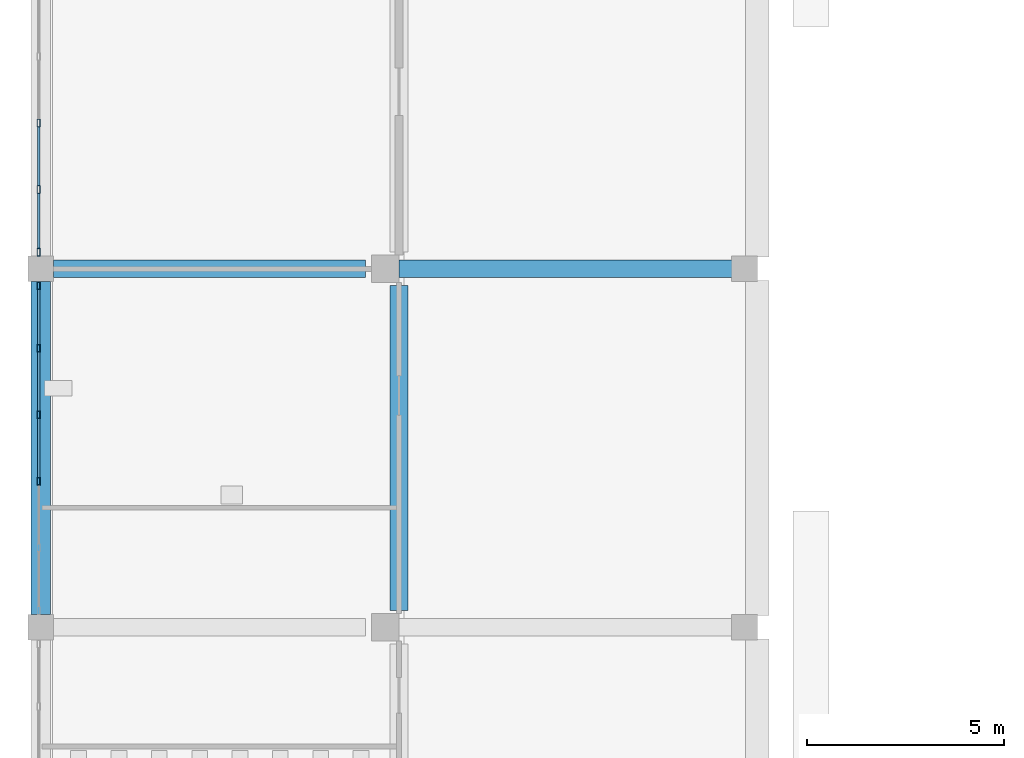
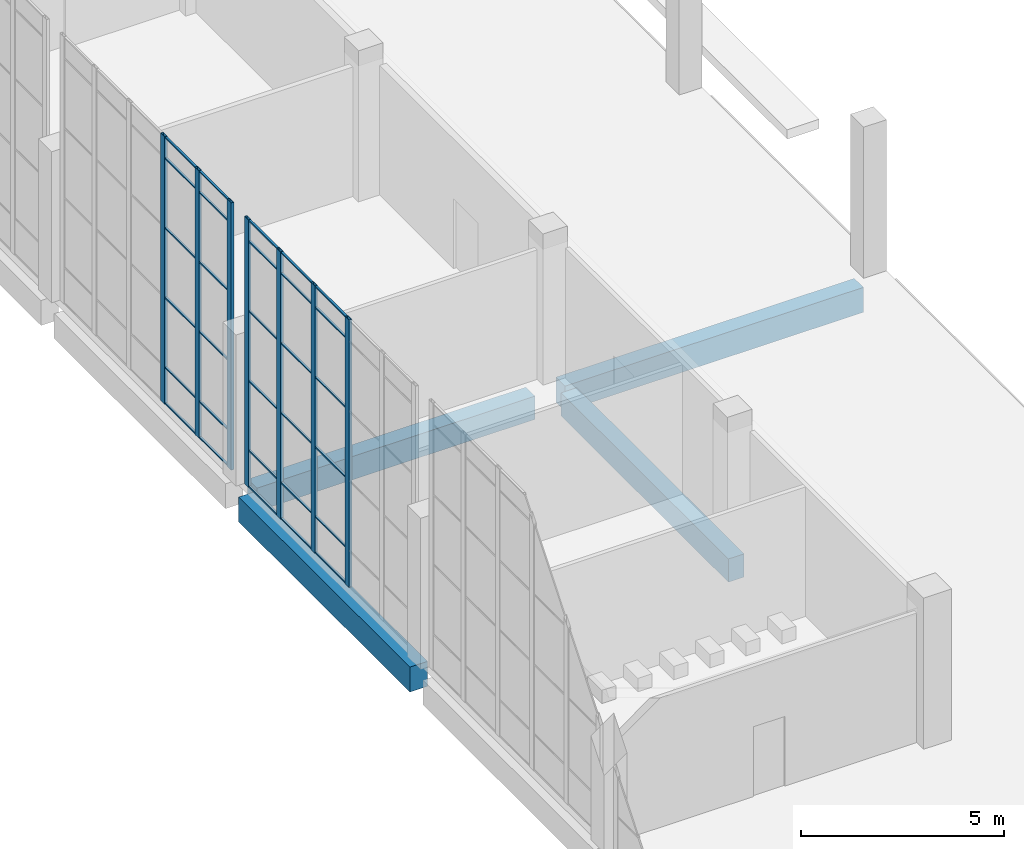
# One storey, part 13 of 126: 37 members, 4 beams, 2 elements without a shape of their own.
"""IFC4 building model written with IfcOpenShell, lengths in metres."""

import ifcopenshell
import ifcopenshell.guid

model = None  # the IFC model being written
_history = None  # IfcOwnerHistory: only IFC2X3 demands one
_inside = {}  # id of a spatial element -> (the spatial element, [elements in it])
_under = {}  # id of a project, library or spatial element -> (it, [spatial elements below it])
_declared = {}  # id of a project -> (the project, [libraries it declares])
_typed = {}  # id of a type object -> (the type object, [elements of that type])
_made_of = {}  # id of a material, layer set ... -> (it, [elements and type objects made of it])


def new_model(schema):
    """Start an empty IFC model of exactly this schema.

    Asked for "IFC4X3", IfcOpenShell would pick the latest addendum, in which some entities
    have other attributes; the version numbers below select the first issue.
    IFC2X3 requires an IfcOwnerHistory on every rooted entity: one is made here for all.
    """
    global model, _history
    if schema == "IFC4X3":
        model = ifcopenshell.file(schema_version=(4, 3, 0, 0))
    else:
        model = ifcopenshell.file(schema=schema)
    _inside.clear()
    _under.clear()
    _declared.clear()
    _typed.clear()
    _made_of.clear()
    _history = None
    if model.schema == "IFC2X3":
        org = make("IfcOrganization", Name="unknown")
        user = make(
            "IfcPersonAndOrganization",
            ThePerson=make("IfcPerson", FamilyName="unknown"),
            TheOrganization=org,
        )
        app = make(
            "IfcApplication",
            ApplicationDeveloper=org,
            Version="unknown",
            ApplicationFullName="unknown",
            ApplicationIdentifier="unknown",
        )
        _history = make(
            "IfcOwnerHistory",
            OwningUser=user,
            OwningApplication=app,
            ChangeAction="ADDED",
            CreationDate=0,
        )
    return model


def make(cls, **values):
    """One entity of the class cls with the attributes given. An attribute that is None is left unset."""
    return model.create_entity(
        cls, **{name: value for name, value in values.items() if value is not None}
    )


def rooted(cls, **values):
    """An entity with a GlobalId (a new one), such as an element, a storey or a relation."""
    return make(cls, GlobalId=ifcopenshell.guid.new(), OwnerHistory=_history, **values)


def si_unit(unit_type, name, prefix=None):
    """IfcSIUnit, for example si_unit("LENGTHUNIT", "METRE", prefix="MILLI")."""
    return make("IfcSIUnit", UnitType=unit_type, Prefix=prefix, Name=name)


def assignment(units):
    """IfcUnitAssignment: the units of a project."""
    return None if units is None else make("IfcUnitAssignment", Units=units)


def point(xyz):
    """IfcCartesianPoint."""
    return None if xyz is None else make("IfcCartesianPoint", Coordinates=xyz)


def direction(xyz):
    """IfcDirection."""
    return None if xyz is None else make("IfcDirection", DirectionRatios=xyz)


def frame(location, z_axis=None, x_axis=None):
    """IfcAxis2Placement3D, a coordinate frame: its origin and axes. An axis left out is left unset."""
    return make(
        "IfcAxis2Placement3D",
        Location=point(location),
        Axis=direction(z_axis),
        RefDirection=direction(x_axis),
    )


def frame_2d(location, x_axis=None):
    """IfcAxis2Placement2D, a coordinate frame in the plane: its origin and x axis."""
    return make(
        "IfcAxis2Placement2D", Location=point(location), RefDirection=direction(x_axis)
    )


def origin():
    """The frame at (0, 0, 0) with its axes left unset."""
    return frame((0.0, 0.0, 0.0))


def origin_2d():
    """The frame at (0, 0) in the plane with its x axis left unset."""
    return frame_2d((0.0, 0.0))


def place(relative_to, where):
    """IfcLocalPlacement: puts the frame where relative to a parent placement (None: the world)."""
    return make(
        "IfcLocalPlacement", PlacementRelTo=relative_to, RelativePlacement=where
    )


def context(
    kind, dimensions, precision=None, world=None, true_north=None, identifier=None
):
    """IfcGeometricRepresentationContext, for example the 3D "Model" context."""
    return make(
        "IfcGeometricRepresentationContext",
        ContextIdentifier=identifier,
        ContextType=kind,
        CoordinateSpaceDimension=dimensions,
        Precision=precision,
        WorldCoordinateSystem=world,
        TrueNorth=true_north,
    )


def subcontext(parent, identifier, kind, view, scale=None):
    """IfcGeometricRepresentationSubContext, for example "Body" below "Model"."""
    return make(
        "IfcGeometricRepresentationSubContext",
        ContextIdentifier=identifier,
        ContextType=kind,
        ParentContext=parent,
        TargetScale=scale,
        TargetView=view,
    )


def project(units=None, contexts=None):
    """IfcProject with its units and contexts."""
    return rooted(
        "IfcProject",
        Name="project",
        RepresentationContexts=contexts,
        UnitsInContext=assignment(units),
    )


def spatial(cls, under=None, at=None, **own):
    """A site, building, storey or space (cls), placed at a placement, below another one or the project."""
    s = rooted(cls, ObjectPlacement=at, **own)
    if under is not None:
        _under.setdefault(under.id(), (under, []))[1].append(s)
    return s


def profile(cls, at=None, kind="AREA", **sizes):
    """A parametric profile (cls). Its sizes go by their IFC names, for example OverallWidth=200.0."""
    return make(cls, ProfileType=kind, Position=at, **sizes)


def rectangle(**sizes):
    """IfcRectangleProfileDef."""
    return profile("IfcRectangleProfileDef", **sizes)


def hollow_rectangle(**sizes):
    """IfcRectangleHollowProfileDef."""
    return profile("IfcRectangleHollowProfileDef", **sizes)


def extrude(swept, where, along, depth):
    """IfcExtrudedAreaSolid: the profile swept, set in the frame where, extruded along a direction by depth."""
    return make(
        "IfcExtrudedAreaSolid",
        SweptArea=swept,
        Position=where,
        ExtrudedDirection=direction(along),
        Depth=depth,
    )


def shape(context_of_items, identifier, shape_type, items):
    """IfcShapeRepresentation: the items that make up one representation, for example the "Body"."""
    return make(
        "IfcShapeRepresentation",
        ContextOfItems=context_of_items,
        RepresentationIdentifier=identifier,
        RepresentationType=shape_type,
        Items=items,
    )


def material(Name=None, Category=None):
    """IfcMaterial."""
    return make("IfcMaterial", Name=Name, Category=Category)


def layer(
    of_material, thickness, ventilated=None, Name=None, Category=None, Priority=None
):
    """IfcMaterialLayer: one layer of a wall or slab, of a material (None: an air gap)."""
    return make(
        "IfcMaterialLayer",
        Material=of_material,
        LayerThickness=thickness,
        IsVentilated=ventilated,
        Name=Name,
        Category=Category,
        Priority=Priority,
    )


def layer_set(layers, Name=None):
    """IfcMaterialLayerSet."""
    return make("IfcMaterialLayerSet", MaterialLayers=layers, LayerSetName=Name)


def material_profile(
    of_material, cross_section, Name=None, Category=None, Priority=None
):
    """IfcMaterialProfile: a cross section and its material."""
    return make(
        "IfcMaterialProfile",
        Name=Name,
        Material=of_material,
        Profile=cross_section,
        Priority=Priority,
        Category=Category,
    )


def profile_set(profiles, Name=None, composite=None):
    """IfcMaterialProfileSet."""
    return make(
        "IfcMaterialProfileSet",
        Name=Name,
        MaterialProfiles=profiles,
        CompositeProfile=composite,
    )


def made_of(thing, what):
    """Note that an element or type object is made of a material, layer set ...; save() writes the relation."""
    if what is not None:
        _made_of.setdefault(what.id(), (what, []))[1].append(thing)
    return thing


def type_object(cls, material=None, **own):
    """A type object (cls), such as IfcWallType, which elements share."""
    return made_of(rooted(cls, **own), material)


def element(
    cls,
    number,
    at=None,
    inside=None,
    cuts=None,
    type_object=None,
    material=None,
    context=None,
    identifier="Body",
    shape_type=None,
    held_by="IfcProductDefinitionShape",
    body=None,
    shapes=None,
    **own,
):
    """One element of the class cls, such as IfcWall. Its Tag is "e" and its number.

    at: its placement. inside: the storey or other place that contains it. cuts: it is an
    opening in that element (IfcRelVoidsElement). A single representation is given by context,
    identifier, shape_type and body (its items); several are given by shapes. held_by: the class
    of the entity that holds the representations. save() writes the other relations.
    """
    e = rooted(cls, Tag="e%d" % number, ObjectPlacement=at, **own)
    if body is not None:
        shapes = [shape(context, identifier, shape_type, body)]
    if shapes is not None:
        e.Representation = make(held_by, Representations=shapes)
    if inside is not None:
        _inside.setdefault(inside.id(), (inside, []))[1].append(e)
    if cuts is not None:
        rooted(
            "IfcRelVoidsElement", RelatingBuildingElement=cuts, RelatedOpeningElement=e
        )
    if type_object is not None:
        _typed.setdefault(type_object.id(), (type_object, []))[1].append(e)
    return made_of(e, material)


def aggregate(whole, parts):
    """IfcRelAggregates: a whole, such as a stair, and the parts it consists of."""
    return rooted("IfcRelAggregates", RelatingObject=whole, RelatedObjects=parts)


def save(model, path):
    """Write the relations noted so far, then the file.

    IfcRelAggregates (storeys below a building ...), IfcRelContainedInSpatialStructure (elements
    in a storey), IfcRelDefinesByType, IfcRelAssociatesMaterial and IfcRelDeclares: one each for
    every whole, place, type object, material and project.
    """
    for whole, parts in _under.values():
        aggregate(whole, parts)
    for where, things in _inside.values():
        rooted(
            "IfcRelContainedInSpatialStructure",
            RelatedElements=things,
            RelatingStructure=where,
        )
    for kind, things in _typed.values():
        rooted("IfcRelDefinesByType", RelatedObjects=things, RelatingType=kind)
    for what, things in _made_of.values():
        rooted("IfcRelAssociatesMaterial", RelatedObjects=things, RelatingMaterial=what)
    for by, libraries in _declared.values():
        rooted("IfcRelDeclares", RelatingContext=by, RelatedDefinitions=libraries)
    model.write(path)


model = new_model("IFC4")

# Units and contexts
model_context = context("Model", 3, precision=1e-05, world=origin(), true_north=direction((0.0, 1.0)))
body_context = subcontext(model_context, "Body", "Model", "MODEL_VIEW")
ifc_project = project(units=[si_unit("LENGTHUNIT", "METRE"), si_unit("AREAUNIT", "SQUARE_METRE"), si_unit("VOLUMEUNIT", "CUBIC_METRE"), si_unit("PLANEANGLEUNIT", "RADIAN"), si_unit("MASSUNIT", "GRAM", prefix="KILO")], contexts=[model_context])

# Site, building, storey
site_placement = place(None, origin())
site = spatial("IfcSite", under=ifc_project, at=site_placement, CompositionType="ELEMENT")
building_placement = place(site_placement, origin())
building = spatial("IfcBuilding", under=site, at=building_placement, Name="Shirokan Park Arena", CompositionType="ELEMENT")
storey_placement = place(building_placement, frame((0.0, 0.0, 6.3701171875)))
storey = spatial("IfcBuildingStorey", under=building, at=storey_placement, Name="L01", CompositionType="ELEMENT", Elevation=6.3701171875)

# Curtain wall, members
ifc_material_1 = material(Name="Steel and glass curtain wall", Category="steel")
ifc_layer = layer(ifc_material_1, 0.199951171875)
ifc_layer_set = layer_set([ifc_layer], Name="Steel and glass curtain wall 200 mm")
curtain_wall_type = type_object("IfcCurtainWallType", Name="Curtain wall hall bay 200", PredefinedType="NOTDEFINED", material=ifc_layer_set)
curtain_wall_1_placement = place(storey_placement, origin())
curtain_wall_1 = element("IfcCurtainWall", 1, at=curtain_wall_1_placement, inside=storey, type_object=curtain_wall_type, Name="Curtain wall west bay 6 L01", PredefinedType="NOTDEFINED")
ifc_material_2 = material(Name="Steel S355", Category="steel")
ifc_material_profile_1 = material_profile(ifc_material_2, hollow_rectangle(XDim=0.080078125, YDim=0.199951171875, WallThickness=0.008056640625, at=origin_2d()), Name="RHS 200x80x8")
ifc_profile_set_1 = profile_set([ifc_material_profile_1], Name="Steel S355")
member_type_1 = type_object("IfcMemberType", Name="Mullion RHS 200x80x8", PredefinedType="MULLION", material=ifc_profile_set_1)
member_1_placement = place(storey_placement, frame((-0.050048828125, 58.304931640625, 0.0), z_axis=(0.0, 0.0, 1.0), x_axis=(1.0, 0.0, 0.0)))
member_1 = element("IfcMember", 2, at=member_1_placement, type_object=member_type_1, Name="CW5 mullion 4", PredefinedType="MULLION", context=body_context, shape_type="SweptSolid", body=[
    extrude(hollow_rectangle(XDim=0.080078125, YDim=0.199951171875, WallThickness=0.008056640625, at=origin_2d()), origin(), (0.0, 0.0, 1.0), 8.0498046875),
])
member_2_placement = place(storey_placement, frame((-0.050048828125, 56.614990234375, 0.0), z_axis=(0.0, 0.0, 1.0), x_axis=(1.0, 0.0, 0.0)))
member_2 = element("IfcMember", 3, at=member_2_placement, type_object=member_type_1, Name="CW5 mullion 5", PredefinedType="MULLION", context=body_context, shape_type="SweptSolid", body=[
    extrude(hollow_rectangle(XDim=0.080078125, YDim=0.199951171875, WallThickness=0.008056640625, at=origin_2d()), origin(), (0.0, 0.0, 1.0), 8.0498046875),
])
member_3_placement = place(storey_placement, frame((-0.050048828125, 55.02490234375, 0.0), z_axis=(0.0, 0.0, 1.0), x_axis=(1.0, 0.0, 0.0)))
member_3 = element("IfcMember", 4, at=member_3_placement, type_object=member_type_1, Name="CW5 mullion 6", PredefinedType="MULLION", context=body_context, shape_type="SweptSolid", body=[
    extrude(hollow_rectangle(XDim=0.080078125, YDim=0.199951171875, WallThickness=0.008056640625, at=origin_2d()), origin(), (0.0, 0.0, 1.0), 8.0498046875),
])

curtain_wall_2_placement = place(storey_placement, origin())
curtain_wall_2 = element("IfcCurtainWall", 5, at=curtain_wall_2_placement, inside=storey, type_object=curtain_wall_type, Name="Curtain wall west bay 7 L01", PredefinedType="NOTDEFINED")
member_4_placement = place(storey_placement, frame((-0.050048828125, 54.175048828125, 0.0), z_axis=(0.0, 0.0, 1.0), x_axis=(1.0, 0.0, 0.0)))
member_4 = element("IfcMember", 6, at=member_4_placement, type_object=member_type_1, Name="CW5 mullion 1", PredefinedType="MULLION", context=body_context, shape_type="SweptSolid", body=[
    extrude(hollow_rectangle(XDim=0.080078125, YDim=0.199951171875, WallThickness=0.008056640625, at=origin_2d()), origin(), (0.0, 0.0, 1.0), 8.0498046875),
])
member_5_placement = place(storey_placement, frame((-0.050048828125, 52.5849609375, 0.0), z_axis=(0.0, 0.0, 1.0), x_axis=(1.0, 0.0, 0.0)))
member_5 = element("IfcMember", 7, at=member_5_placement, type_object=member_type_1, Name="CW5 mullion 2", PredefinedType="MULLION", context=body_context, shape_type="SweptSolid", body=[
    extrude(hollow_rectangle(XDim=0.080078125, YDim=0.199951171875, WallThickness=0.008056640625, at=origin_2d()), origin(), (0.0, 0.0, 1.0), 8.0498046875),
])
member_6_placement = place(storey_placement, frame((-0.050048828125, 50.89501953125, 0.0), z_axis=(0.0, 0.0, 1.0), x_axis=(1.0, 0.0, 0.0)))
member_6 = element("IfcMember", 8, at=member_6_placement, type_object=member_type_1, Name="CW5 mullion 3", PredefinedType="MULLION", context=body_context, shape_type="SweptSolid", body=[
    extrude(hollow_rectangle(XDim=0.080078125, YDim=0.199951171875, WallThickness=0.008056640625, at=origin_2d()), origin(), (0.0, 0.0, 1.0), 8.0498046875),
])
member_7_placement = place(storey_placement, frame((-0.050048828125, 49.205078125, 0.0), z_axis=(0.0, 0.0, 1.0), x_axis=(1.0, 0.0, 0.0)))
member_7 = element("IfcMember", 9, at=member_7_placement, type_object=member_type_1, Name="CW5 mullion 4", PredefinedType="MULLION", context=body_context, shape_type="SweptSolid", body=[
    extrude(hollow_rectangle(XDim=0.080078125, YDim=0.199951171875, WallThickness=0.008056640625, at=origin_2d()), origin(), (0.0, 0.0, 1.0), 8.0498046875),
])

# Beams
ifc_material_3 = material(Name="Concrete C35", Category="concrete")
ifc_material_profile_2 = material_profile(ifc_material_3, rectangle(XDim=0.449951171875, YDim=0.699951171875, at=origin_2d()), Name="450x700")
ifc_profile_set_2 = profile_set([ifc_material_profile_2], Name="Concrete C35")
beam_type_1 = type_object("IfcBeamType", Name="RC girder 450x700", PredefinedType="BEAM", material=ifc_profile_set_2)
beam_1_placement = place(storey_placement, frame((0.3251953125, 54.60009765625, -0.7001953125), z_axis=(1.0, 0.0, 0.0), x_axis=(0.0, 1.0, 0.0)))
element("IfcBeam", 10, at=beam_1_placement, inside=storey, type_object=beam_type_1, Name="Girder 1G-2G L01", PredefinedType="BEAM", context=body_context, shape_type="SweptSolid", body=[
    extrude(rectangle(XDim=0.449951171875, YDim=0.699951171875, at=origin_2d()), origin(), (0.0, 0.0, 1.0), 7.9248046875),
])
beam_2_placement = place(storey_placement, frame((9.10009765625, 45.925048828125, -0.7001953125), z_axis=(0.0, 1.0, 0.0), x_axis=(-1.0, 0.0, 0.0)))
element("IfcBeam", 11, at=beam_2_placement, inside=storey, type_object=beam_type_1, Name="Girder 2F-2G L01", PredefinedType="BEAM", context=body_context, shape_type="SweptSolid", body=[
    extrude(rectangle(XDim=0.449951171875, YDim=0.699951171875, at=origin_2d()), origin(), (0.0, 0.0, 1.0), 8.249755859375),
])
ifc_material_profile_3 = material_profile(ifc_material_3, rectangle(XDim=0.449951171875, YDim=0.75, at=origin_2d()), Name="450x750")
ifc_profile_set_3 = profile_set([ifc_material_profile_3], Name="Concrete C35")
beam_type_2 = type_object("IfcBeamType", Name="RC girder 450x750", PredefinedType="BEAM", material=ifc_profile_set_3)
beam_3_placement = place(storey_placement, frame((9.10009765625, 54.60009765625, -0.72509765625), z_axis=(1.0, 0.0, 0.0), x_axis=(0.0, 1.0, 0.0)))
element("IfcBeam", 12, at=beam_3_placement, inside=storey, type_object=beam_type_2, Name="Girder 2G-3G L01", PredefinedType="BEAM", context=body_context, shape_type="SweptSolid", body=[
    extrude(rectangle(XDim=0.449951171875, YDim=0.75, at=origin_2d()), origin(), (0.0, 0.0, 1.0), 8.499755859375),
])
ifc_material_profile_4 = material_profile(ifc_material_3, rectangle(XDim=0.5, YDim=0.75, at=origin_2d()), Name="500x750")
ifc_profile_set_4 = profile_set([ifc_material_profile_4], Name="Concrete C35")
beam_type_3 = type_object("IfcBeamType", Name="RC girder 500x750", PredefinedType="BEAM", material=ifc_profile_set_4)
beam_4_placement = place(storey_placement, frame((0.0, 45.8251953125, -0.72509765625), z_axis=(0.0, 1.0, 0.0), x_axis=(-1.0, 0.0, 0.0)))
element("IfcBeam", 13, at=beam_4_placement, inside=storey, type_object=beam_type_3, Name="Girder 1F-1G L01", PredefinedType="BEAM", context=body_context, shape_type="SweptSolid", body=[
    extrude(rectangle(XDim=0.5, YDim=0.75, at=origin_2d()), origin(), (0.0, 0.0, 1.0), 8.44970703125),
])

# Member
ifc_material_profile_5 = material_profile(ifc_material_2, hollow_rectangle(XDim=0.06005859375, YDim=0.0400390625, WallThickness=0.00390625, at=origin_2d()), Name="RHS 60x40x4")
ifc_profile_set_5 = profile_set([ifc_material_profile_5], Name="Steel S355")
member_type_2 = type_object("IfcMemberType", Name="Transom RHS 60x40x4", PredefinedType="MULLION", material=ifc_profile_set_5)
member_8_placement = place(storey_placement, frame((-0.050048828125, 58.205078125, 0.019775390625), z_axis=(0.0, -1.0, 0.0), x_axis=(1.0, 0.0, 0.0)))
member_8 = element("IfcMember", 14, at=member_8_placement, type_object=member_type_2, Name="CW5 transom 4.1", PredefinedType="MULLION", context=body_context, shape_type="SweptSolid", body=[
    extrude(hollow_rectangle(XDim=0.06005859375, YDim=0.0400390625, WallThickness=0.00390625, at=origin_2d()), origin(), (0.0, 0.0, 1.0), 1.489990234375),
])

member_9_placement = place(storey_placement, frame((-0.050048828125, 58.205078125, 1.099853515625), z_axis=(0.0, -1.0, 0.0), x_axis=(1.0, 0.0, 0.0)))
member_9 = element("IfcMember", 15, at=member_9_placement, type_object=member_type_2, Name="CW5 transom 4.2", PredefinedType="MULLION", context=body_context, shape_type="SweptSolid", body=[
    extrude(hollow_rectangle(XDim=0.06005859375, YDim=0.0400390625, WallThickness=0.00390625, at=origin_2d()), origin(), (0.0, 0.0, 1.0), 1.489990234375),
])

member_10_placement = place(storey_placement, frame((-0.050048828125, 58.205078125, 3.199951171875), z_axis=(0.0, -1.0, 0.0), x_axis=(1.0, 0.0, 0.0)))
member_10 = element("IfcMember", 16, at=member_10_placement, type_object=member_type_2, Name="CW5 transom 4.3", PredefinedType="MULLION", context=body_context, shape_type="SweptSolid", body=[
    extrude(hollow_rectangle(XDim=0.06005859375, YDim=0.0400390625, WallThickness=0.00390625, at=origin_2d()), origin(), (0.0, 0.0, 1.0), 1.489990234375),
])

member_11_placement = place(storey_placement, frame((-0.050048828125, 58.205078125, 5.2998046875), z_axis=(0.0, -1.0, 0.0), x_axis=(1.0, 0.0, 0.0)))
member_11 = element("IfcMember", 17, at=member_11_placement, type_object=member_type_2, Name="CW5 transom 4.4", PredefinedType="MULLION", context=body_context, shape_type="SweptSolid", body=[
    extrude(hollow_rectangle(XDim=0.06005859375, YDim=0.0400390625, WallThickness=0.00390625, at=origin_2d()), origin(), (0.0, 0.0, 1.0), 1.489990234375),
])

member_12_placement = place(storey_placement, frame((-0.050048828125, 58.205078125, 7.39990234375), z_axis=(0.0, -1.0, 0.0), x_axis=(1.0, 0.0, 0.0)))
member_12 = element("IfcMember", 18, at=member_12_placement, type_object=member_type_2, Name="CW5 transom 4.5", PredefinedType="MULLION", context=body_context, shape_type="SweptSolid", body=[
    extrude(hollow_rectangle(XDim=0.06005859375, YDim=0.0400390625, WallThickness=0.00390625, at=origin_2d()), origin(), (0.0, 0.0, 1.0), 1.489990234375),
])

member_13_placement = place(storey_placement, frame((-0.050048828125, 58.205078125, 8.02978515625), z_axis=(0.0, -1.0, 0.0), x_axis=(1.0, 0.0, 0.0)))
member_13 = element("IfcMember", 19, at=member_13_placement, type_object=member_type_2, Name="CW5 transom 4.6", PredefinedType="MULLION", context=body_context, shape_type="SweptSolid", body=[
    extrude(hollow_rectangle(XDim=0.06005859375, YDim=0.0400390625, WallThickness=0.00390625, at=origin_2d()), origin(), (0.0, 0.0, 1.0), 1.489990234375),
])

member_14_placement = place(storey_placement, frame((-0.050048828125, 56.514892578125, 0.019775390625), z_axis=(0.0, -1.0, 0.0), x_axis=(1.0, 0.0, 0.0)))
member_14 = element("IfcMember", 20, at=member_14_placement, type_object=member_type_2, Name="CW5 transom 5.1", PredefinedType="MULLION", context=body_context, shape_type="SweptSolid", body=[
    extrude(hollow_rectangle(XDim=0.06005859375, YDim=0.0400390625, WallThickness=0.00390625, at=origin_2d()), origin(), (0.0, 0.0, 1.0), 1.389892578125),
])

member_15_placement = place(storey_placement, frame((-0.050048828125, 56.514892578125, 1.099853515625), z_axis=(0.0, -1.0, 0.0), x_axis=(1.0, 0.0, 0.0)))
member_15 = element("IfcMember", 21, at=member_15_placement, type_object=member_type_2, Name="CW5 transom 5.2", PredefinedType="MULLION", context=body_context, shape_type="SweptSolid", body=[
    extrude(hollow_rectangle(XDim=0.06005859375, YDim=0.0400390625, WallThickness=0.00390625, at=origin_2d()), origin(), (0.0, 0.0, 1.0), 1.389892578125),
])

member_16_placement = place(storey_placement, frame((-0.050048828125, 56.514892578125, 3.199951171875), z_axis=(0.0, -1.0, 0.0), x_axis=(1.0, 0.0, 0.0)))
member_16 = element("IfcMember", 22, at=member_16_placement, type_object=member_type_2, Name="CW5 transom 5.3", PredefinedType="MULLION", context=body_context, shape_type="SweptSolid", body=[
    extrude(hollow_rectangle(XDim=0.06005859375, YDim=0.0400390625, WallThickness=0.00390625, at=origin_2d()), origin(), (0.0, 0.0, 1.0), 1.389892578125),
])

member_17_placement = place(storey_placement, frame((-0.050048828125, 56.514892578125, 5.2998046875), z_axis=(0.0, -1.0, 0.0), x_axis=(1.0, 0.0, 0.0)))
member_17 = element("IfcMember", 23, at=member_17_placement, type_object=member_type_2, Name="CW5 transom 5.4", PredefinedType="MULLION", context=body_context, shape_type="SweptSolid", body=[
    extrude(hollow_rectangle(XDim=0.06005859375, YDim=0.0400390625, WallThickness=0.00390625, at=origin_2d()), origin(), (0.0, 0.0, 1.0), 1.389892578125),
])

member_18_placement = place(storey_placement, frame((-0.050048828125, 56.514892578125, 7.39990234375), z_axis=(0.0, -1.0, 0.0), x_axis=(1.0, 0.0, 0.0)))
member_18 = element("IfcMember", 24, at=member_18_placement, type_object=member_type_2, Name="CW5 transom 5.5", PredefinedType="MULLION", context=body_context, shape_type="SweptSolid", body=[
    extrude(hollow_rectangle(XDim=0.06005859375, YDim=0.0400390625, WallThickness=0.00390625, at=origin_2d()), origin(), (0.0, 0.0, 1.0), 1.389892578125),
])

member_19_placement = place(storey_placement, frame((-0.050048828125, 56.514892578125, 8.02978515625), z_axis=(0.0, -1.0, 0.0), x_axis=(1.0, 0.0, 0.0)))
member_19 = element("IfcMember", 25, at=member_19_placement, type_object=member_type_2, Name="CW5 transom 5.6", PredefinedType="MULLION", context=body_context, shape_type="SweptSolid", body=[
    extrude(hollow_rectangle(XDim=0.06005859375, YDim=0.0400390625, WallThickness=0.00390625, at=origin_2d()), origin(), (0.0, 0.0, 1.0), 1.389892578125),
])

aggregate(curtain_wall_1, [member_1, member_2, member_3, member_8, member_9, member_10, member_11, member_12, member_13, member_14, member_15, member_16, member_17, member_18, member_19])

member_20_placement = place(storey_placement, frame((-0.050048828125, 54.074951171875, 0.019775390625), z_axis=(0.0, -1.0, 0.0), x_axis=(1.0, 0.0, 0.0)))
member_20 = element("IfcMember", 26, at=member_20_placement, type_object=member_type_2, Name="CW5 transom 1.1", PredefinedType="MULLION", context=body_context, shape_type="SweptSolid", body=[
    extrude(hollow_rectangle(XDim=0.06005859375, YDim=0.0400390625, WallThickness=0.00390625, at=origin_2d()), origin(), (0.0, 0.0, 1.0), 1.389892578125),
])

member_21_placement = place(storey_placement, frame((-0.050048828125, 54.074951171875, 1.099853515625), z_axis=(0.0, -1.0, 0.0), x_axis=(1.0, 0.0, 0.0)))
member_21 = element("IfcMember", 27, at=member_21_placement, type_object=member_type_2, Name="CW5 transom 1.2", PredefinedType="MULLION", context=body_context, shape_type="SweptSolid", body=[
    extrude(hollow_rectangle(XDim=0.06005859375, YDim=0.0400390625, WallThickness=0.00390625, at=origin_2d()), origin(), (0.0, 0.0, 1.0), 1.389892578125),
])

member_22_placement = place(storey_placement, frame((-0.050048828125, 54.074951171875, 3.199951171875), z_axis=(0.0, -1.0, 0.0), x_axis=(1.0, 0.0, 0.0)))
member_22 = element("IfcMember", 28, at=member_22_placement, type_object=member_type_2, Name="CW5 transom 1.3", PredefinedType="MULLION", context=body_context, shape_type="SweptSolid", body=[
    extrude(hollow_rectangle(XDim=0.06005859375, YDim=0.0400390625, WallThickness=0.00390625, at=origin_2d()), origin(), (0.0, 0.0, 1.0), 1.389892578125),
])

member_23_placement = place(storey_placement, frame((-0.050048828125, 54.074951171875, 5.2998046875), z_axis=(0.0, -1.0, 0.0), x_axis=(1.0, 0.0, 0.0)))
member_23 = element("IfcMember", 29, at=member_23_placement, type_object=member_type_2, Name="CW5 transom 1.4", PredefinedType="MULLION", context=body_context, shape_type="SweptSolid", body=[
    extrude(hollow_rectangle(XDim=0.06005859375, YDim=0.0400390625, WallThickness=0.00390625, at=origin_2d()), origin(), (0.0, 0.0, 1.0), 1.389892578125),
])

member_24_placement = place(storey_placement, frame((-0.050048828125, 54.074951171875, 7.39990234375), z_axis=(0.0, -1.0, 0.0), x_axis=(1.0, 0.0, 0.0)))
member_24 = element("IfcMember", 30, at=member_24_placement, type_object=member_type_2, Name="CW5 transom 1.5", PredefinedType="MULLION", context=body_context, shape_type="SweptSolid", body=[
    extrude(hollow_rectangle(XDim=0.06005859375, YDim=0.0400390625, WallThickness=0.00390625, at=origin_2d()), origin(), (0.0, 0.0, 1.0), 1.389892578125),
])

member_25_placement = place(storey_placement, frame((-0.050048828125, 54.074951171875, 8.02978515625), z_axis=(0.0, -1.0, 0.0), x_axis=(1.0, 0.0, 0.0)))
member_25 = element("IfcMember", 31, at=member_25_placement, type_object=member_type_2, Name="CW5 transom 1.6", PredefinedType="MULLION", context=body_context, shape_type="SweptSolid", body=[
    extrude(hollow_rectangle(XDim=0.06005859375, YDim=0.0400390625, WallThickness=0.00390625, at=origin_2d()), origin(), (0.0, 0.0, 1.0), 1.389892578125),
])

member_26_placement = place(storey_placement, frame((-0.050048828125, 52.485107421875, 0.019775390625), z_axis=(0.0, -1.0, 0.0), x_axis=(1.0, 0.0, 0.0)))
member_26 = element("IfcMember", 32, at=member_26_placement, type_object=member_type_2, Name="CW5 transom 2.1", PredefinedType="MULLION", context=body_context, shape_type="SweptSolid", body=[
    extrude(hollow_rectangle(XDim=0.06005859375, YDim=0.0400390625, WallThickness=0.00390625, at=origin_2d()), origin(), (0.0, 0.0, 1.0), 1.489990234375),
])

member_27_placement = place(storey_placement, frame((-0.050048828125, 52.485107421875, 1.099853515625), z_axis=(0.0, -1.0, 0.0), x_axis=(1.0, 0.0, 0.0)))
member_27 = element("IfcMember", 33, at=member_27_placement, type_object=member_type_2, Name="CW5 transom 2.2", PredefinedType="MULLION", context=body_context, shape_type="SweptSolid", body=[
    extrude(hollow_rectangle(XDim=0.06005859375, YDim=0.0400390625, WallThickness=0.00390625, at=origin_2d()), origin(), (0.0, 0.0, 1.0), 1.489990234375),
])

member_28_placement = place(storey_placement, frame((-0.050048828125, 52.485107421875, 3.199951171875), z_axis=(0.0, -1.0, 0.0), x_axis=(1.0, 0.0, 0.0)))
member_28 = element("IfcMember", 34, at=member_28_placement, type_object=member_type_2, Name="CW5 transom 2.3", PredefinedType="MULLION", context=body_context, shape_type="SweptSolid", body=[
    extrude(hollow_rectangle(XDim=0.06005859375, YDim=0.0400390625, WallThickness=0.00390625, at=origin_2d()), origin(), (0.0, 0.0, 1.0), 1.489990234375),
])

member_29_placement = place(storey_placement, frame((-0.050048828125, 52.485107421875, 5.2998046875), z_axis=(0.0, -1.0, 0.0), x_axis=(1.0, 0.0, 0.0)))
member_29 = element("IfcMember", 35, at=member_29_placement, type_object=member_type_2, Name="CW5 transom 2.4", PredefinedType="MULLION", context=body_context, shape_type="SweptSolid", body=[
    extrude(hollow_rectangle(XDim=0.06005859375, YDim=0.0400390625, WallThickness=0.00390625, at=origin_2d()), origin(), (0.0, 0.0, 1.0), 1.489990234375),
])

member_30_placement = place(storey_placement, frame((-0.050048828125, 52.485107421875, 7.39990234375), z_axis=(0.0, -1.0, 0.0), x_axis=(1.0, 0.0, 0.0)))
member_30 = element("IfcMember", 36, at=member_30_placement, type_object=member_type_2, Name="CW5 transom 2.5", PredefinedType="MULLION", context=body_context, shape_type="SweptSolid", body=[
    extrude(hollow_rectangle(XDim=0.06005859375, YDim=0.0400390625, WallThickness=0.00390625, at=origin_2d()), origin(), (0.0, 0.0, 1.0), 1.489990234375),
])

member_31_placement = place(storey_placement, frame((-0.050048828125, 52.485107421875, 8.02978515625), z_axis=(0.0, -1.0, 0.0), x_axis=(1.0, 0.0, 0.0)))
member_31 = element("IfcMember", 37, at=member_31_placement, type_object=member_type_2, Name="CW5 transom 2.6", PredefinedType="MULLION", context=body_context, shape_type="SweptSolid", body=[
    extrude(hollow_rectangle(XDim=0.06005859375, YDim=0.0400390625, WallThickness=0.00390625, at=origin_2d()), origin(), (0.0, 0.0, 1.0), 1.489990234375),
])

member_32_placement = place(storey_placement, frame((-0.050048828125, 50.794921875, 0.019775390625), z_axis=(0.0, -1.0, 0.0), x_axis=(1.0, 0.0, 0.0)))
member_32 = element("IfcMember", 38, at=member_32_placement, type_object=member_type_2, Name="CW5 transom 3.1", PredefinedType="MULLION", context=body_context, shape_type="SweptSolid", body=[
    extrude(hollow_rectangle(XDim=0.06005859375, YDim=0.0400390625, WallThickness=0.00390625, at=origin_2d()), origin(), (0.0, 0.0, 1.0), 1.489990234375),
])

member_33_placement = place(storey_placement, frame((-0.050048828125, 50.794921875, 1.099853515625), z_axis=(0.0, -1.0, 0.0), x_axis=(1.0, 0.0, 0.0)))
member_33 = element("IfcMember", 39, at=member_33_placement, type_object=member_type_2, Name="CW5 transom 3.2", PredefinedType="MULLION", context=body_context, shape_type="SweptSolid", body=[
    extrude(hollow_rectangle(XDim=0.06005859375, YDim=0.0400390625, WallThickness=0.00390625, at=origin_2d()), origin(), (0.0, 0.0, 1.0), 1.489990234375),
])

member_34_placement = place(storey_placement, frame((-0.050048828125, 50.794921875, 3.199951171875), z_axis=(0.0, -1.0, 0.0), x_axis=(1.0, 0.0, 0.0)))
member_34 = element("IfcMember", 40, at=member_34_placement, type_object=member_type_2, Name="CW5 transom 3.3", PredefinedType="MULLION", context=body_context, shape_type="SweptSolid", body=[
    extrude(hollow_rectangle(XDim=0.06005859375, YDim=0.0400390625, WallThickness=0.00390625, at=origin_2d()), origin(), (0.0, 0.0, 1.0), 1.489990234375),
])

member_35_placement = place(storey_placement, frame((-0.050048828125, 50.794921875, 5.2998046875), z_axis=(0.0, -1.0, 0.0), x_axis=(1.0, 0.0, 0.0)))
member_35 = element("IfcMember", 41, at=member_35_placement, type_object=member_type_2, Name="CW5 transom 3.4", PredefinedType="MULLION", context=body_context, shape_type="SweptSolid", body=[
    extrude(hollow_rectangle(XDim=0.06005859375, YDim=0.0400390625, WallThickness=0.00390625, at=origin_2d()), origin(), (0.0, 0.0, 1.0), 1.489990234375),
])

member_36_placement = place(storey_placement, frame((-0.050048828125, 50.794921875, 7.39990234375), z_axis=(0.0, -1.0, 0.0), x_axis=(1.0, 0.0, 0.0)))
member_36 = element("IfcMember", 42, at=member_36_placement, type_object=member_type_2, Name="CW5 transom 3.5", PredefinedType="MULLION", context=body_context, shape_type="SweptSolid", body=[
    extrude(hollow_rectangle(XDim=0.06005859375, YDim=0.0400390625, WallThickness=0.00390625, at=origin_2d()), origin(), (0.0, 0.0, 1.0), 1.489990234375),
])

member_37_placement = place(storey_placement, frame((-0.050048828125, 50.794921875, 8.02978515625), z_axis=(0.0, -1.0, 0.0), x_axis=(1.0, 0.0, 0.0)))
member_37 = element("IfcMember", 43, at=member_37_placement, type_object=member_type_2, Name="CW5 transom 3.6", PredefinedType="MULLION", context=body_context, shape_type="SweptSolid", body=[
    extrude(hollow_rectangle(XDim=0.06005859375, YDim=0.0400390625, WallThickness=0.00390625, at=origin_2d()), origin(), (0.0, 0.0, 1.0), 1.489990234375),
])

aggregate(curtain_wall_2, [member_4, member_5, member_6, member_7, member_20, member_21, member_22, member_23, member_24, member_25, member_26, member_27, member_28, member_29, member_30, member_31, member_32, member_33, member_34, member_35, member_36, member_37])

save(model, "model.ifc")
